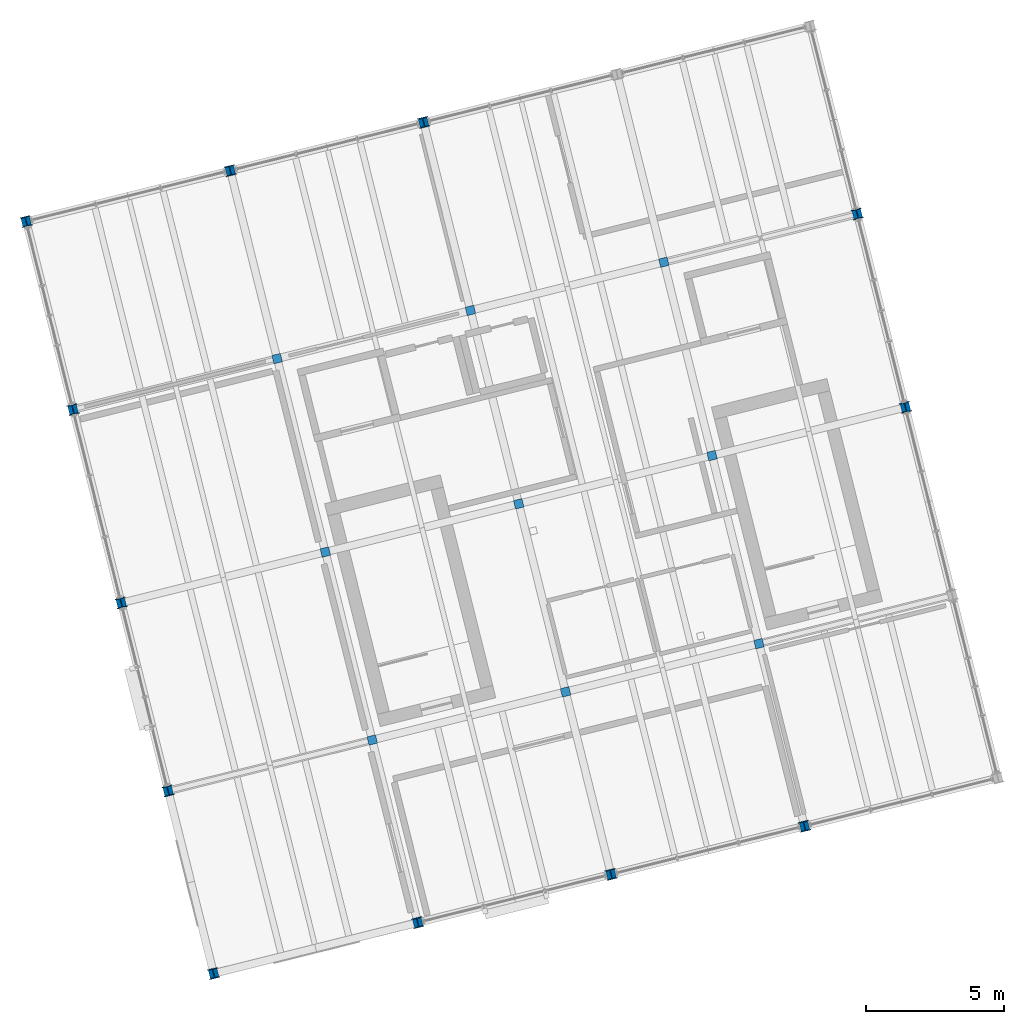
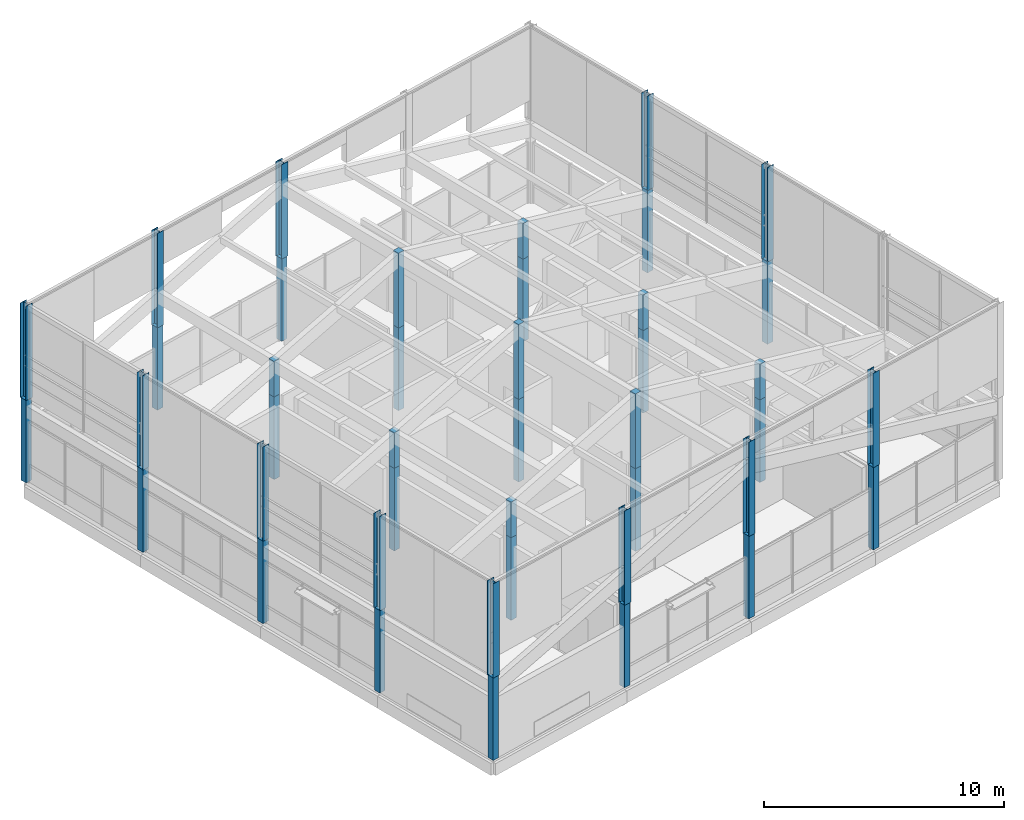
# One storey, part 1 of 31: 42 columns.
"""IFC4 building model written with IfcOpenShell, lengths in metres."""

import ifcopenshell
import ifcopenshell.guid

model = None  # the IFC model being written
_history = None  # IfcOwnerHistory: only IFC2X3 demands one
_inside = {}  # id of a spatial element -> (the spatial element, [elements in it])
_under = {}  # id of a project, library or spatial element -> (it, [spatial elements below it])
_declared = {}  # id of a project -> (the project, [libraries it declares])
_typed = {}  # id of a type object -> (the type object, [elements of that type])
_made_of = {}  # id of a material, layer set ... -> (it, [elements and type objects made of it])


def new_model(schema):
    """Start an empty IFC model of exactly this schema.

    Asked for "IFC4X3", IfcOpenShell would pick the latest addendum, in which some entities
    have other attributes; the version numbers below select the first issue.
    IFC2X3 requires an IfcOwnerHistory on every rooted entity: one is made here for all.
    """
    global model, _history
    if schema == "IFC4X3":
        model = ifcopenshell.file(schema_version=(4, 3, 0, 0))
    else:
        model = ifcopenshell.file(schema=schema)
    _inside.clear()
    _under.clear()
    _declared.clear()
    _typed.clear()
    _made_of.clear()
    _history = None
    if model.schema == "IFC2X3":
        org = make("IfcOrganization", Name="unknown")
        user = make(
            "IfcPersonAndOrganization",
            ThePerson=make("IfcPerson", FamilyName="unknown"),
            TheOrganization=org,
        )
        app = make(
            "IfcApplication",
            ApplicationDeveloper=org,
            Version="unknown",
            ApplicationFullName="unknown",
            ApplicationIdentifier="unknown",
        )
        _history = make(
            "IfcOwnerHistory",
            OwningUser=user,
            OwningApplication=app,
            ChangeAction="ADDED",
            CreationDate=0,
        )
    return model


def make(cls, **values):
    """One entity of the class cls with the attributes given. An attribute that is None is left unset."""
    return model.create_entity(
        cls, **{name: value for name, value in values.items() if value is not None}
    )


def rooted(cls, **values):
    """An entity with a GlobalId (a new one), such as an element, a storey or a relation."""
    return make(cls, GlobalId=ifcopenshell.guid.new(), OwnerHistory=_history, **values)


def si_unit(unit_type, name, prefix=None):
    """IfcSIUnit, for example si_unit("LENGTHUNIT", "METRE", prefix="MILLI")."""
    return make("IfcSIUnit", UnitType=unit_type, Prefix=prefix, Name=name)


def assignment(units):
    """IfcUnitAssignment: the units of a project."""
    return None if units is None else make("IfcUnitAssignment", Units=units)


def point(xyz):
    """IfcCartesianPoint."""
    return None if xyz is None else make("IfcCartesianPoint", Coordinates=xyz)


def direction(xyz):
    """IfcDirection."""
    return None if xyz is None else make("IfcDirection", DirectionRatios=xyz)


def frame(location, z_axis=None, x_axis=None):
    """IfcAxis2Placement3D, a coordinate frame: its origin and axes. An axis left out is left unset."""
    return make(
        "IfcAxis2Placement3D",
        Location=point(location),
        Axis=direction(z_axis),
        RefDirection=direction(x_axis),
    )


def frame_2d(location, x_axis=None):
    """IfcAxis2Placement2D, a coordinate frame in the plane: its origin and x axis."""
    return make(
        "IfcAxis2Placement2D", Location=point(location), RefDirection=direction(x_axis)
    )


def origin():
    """The frame at (0, 0, 0) with its axes left unset."""
    return frame((0.0, 0.0, 0.0))


def origin_2d():
    """The frame at (0, 0) in the plane with its x axis left unset."""
    return frame_2d((0.0, 0.0))


def place(relative_to, where):
    """IfcLocalPlacement: puts the frame where relative to a parent placement (None: the world)."""
    return make(
        "IfcLocalPlacement", PlacementRelTo=relative_to, RelativePlacement=where
    )


def context(
    kind, dimensions, precision=None, world=None, true_north=None, identifier=None
):
    """IfcGeometricRepresentationContext, for example the 3D "Model" context."""
    return make(
        "IfcGeometricRepresentationContext",
        ContextIdentifier=identifier,
        ContextType=kind,
        CoordinateSpaceDimension=dimensions,
        Precision=precision,
        WorldCoordinateSystem=world,
        TrueNorth=true_north,
    )


def subcontext(parent, identifier, kind, view, scale=None):
    """IfcGeometricRepresentationSubContext, for example "Body" below "Model"."""
    return make(
        "IfcGeometricRepresentationSubContext",
        ContextIdentifier=identifier,
        ContextType=kind,
        ParentContext=parent,
        TargetScale=scale,
        TargetView=view,
    )


def project(units=None, contexts=None):
    """IfcProject with its units and contexts."""
    return rooted(
        "IfcProject",
        Name="project",
        RepresentationContexts=contexts,
        UnitsInContext=assignment(units),
    )


def spatial(cls, under=None, at=None, **own):
    """A site, building, storey or space (cls), placed at a placement, below another one or the project."""
    s = rooted(cls, ObjectPlacement=at, **own)
    if under is not None:
        _under.setdefault(under.id(), (under, []))[1].append(s)
    return s


def profile(cls, at=None, kind="AREA", **sizes):
    """A parametric profile (cls). Its sizes go by their IFC names, for example OverallWidth=200.0."""
    return make(cls, ProfileType=kind, Position=at, **sizes)


def rectangle(**sizes):
    """IfcRectangleProfileDef."""
    return profile("IfcRectangleProfileDef", **sizes)


def i_section(**sizes):
    """IfcIShapeProfileDef."""
    return profile("IfcIShapeProfileDef", **sizes)


def extrude(swept, where, along, depth):
    """IfcExtrudedAreaSolid: the profile swept, set in the frame where, extruded along a direction by depth."""
    return make(
        "IfcExtrudedAreaSolid",
        SweptArea=swept,
        Position=where,
        ExtrudedDirection=direction(along),
        Depth=depth,
    )


def shape(context_of_items, identifier, shape_type, items):
    """IfcShapeRepresentation: the items that make up one representation, for example the "Body"."""
    return make(
        "IfcShapeRepresentation",
        ContextOfItems=context_of_items,
        RepresentationIdentifier=identifier,
        RepresentationType=shape_type,
        Items=items,
    )


def material(Name=None, Category=None):
    """IfcMaterial."""
    return make("IfcMaterial", Name=Name, Category=Category)


def material_profile(
    of_material, cross_section, Name=None, Category=None, Priority=None
):
    """IfcMaterialProfile: a cross section and its material."""
    return make(
        "IfcMaterialProfile",
        Name=Name,
        Material=of_material,
        Profile=cross_section,
        Priority=Priority,
        Category=Category,
    )


def profile_set(profiles, Name=None, composite=None):
    """IfcMaterialProfileSet."""
    return make(
        "IfcMaterialProfileSet",
        Name=Name,
        MaterialProfiles=profiles,
        CompositeProfile=composite,
    )


def made_of(thing, what):
    """Note that an element or type object is made of a material, layer set ...; save() writes the relation."""
    if what is not None:
        _made_of.setdefault(what.id(), (what, []))[1].append(thing)
    return thing


def type_object(cls, material=None, **own):
    """A type object (cls), such as IfcWallType, which elements share."""
    return made_of(rooted(cls, **own), material)


def element(
    cls,
    number,
    at=None,
    inside=None,
    cuts=None,
    type_object=None,
    material=None,
    context=None,
    identifier="Body",
    shape_type=None,
    held_by="IfcProductDefinitionShape",
    body=None,
    shapes=None,
    **own,
):
    """One element of the class cls, such as IfcWall. Its Tag is "e" and its number.

    at: its placement. inside: the storey or other place that contains it. cuts: it is an
    opening in that element (IfcRelVoidsElement). A single representation is given by context,
    identifier, shape_type and body (its items); several are given by shapes. held_by: the class
    of the entity that holds the representations. save() writes the other relations.
    """
    e = rooted(cls, Tag="e%d" % number, ObjectPlacement=at, **own)
    if body is not None:
        shapes = [shape(context, identifier, shape_type, body)]
    if shapes is not None:
        e.Representation = make(held_by, Representations=shapes)
    if inside is not None:
        _inside.setdefault(inside.id(), (inside, []))[1].append(e)
    if cuts is not None:
        rooted(
            "IfcRelVoidsElement", RelatingBuildingElement=cuts, RelatedOpeningElement=e
        )
    if type_object is not None:
        _typed.setdefault(type_object.id(), (type_object, []))[1].append(e)
    return made_of(e, material)


def aggregate(whole, parts):
    """IfcRelAggregates: a whole, such as a stair, and the parts it consists of."""
    return rooted("IfcRelAggregates", RelatingObject=whole, RelatedObjects=parts)


def save(model, path):
    """Write the relations noted so far, then the file.

    IfcRelAggregates (storeys below a building ...), IfcRelContainedInSpatialStructure (elements
    in a storey), IfcRelDefinesByType, IfcRelAssociatesMaterial and IfcRelDeclares: one each for
    every whole, place, type object, material and project.
    """
    for whole, parts in _under.values():
        aggregate(whole, parts)
    for where, things in _inside.values():
        rooted(
            "IfcRelContainedInSpatialStructure",
            RelatedElements=things,
            RelatingStructure=where,
        )
    for kind, things in _typed.values():
        rooted("IfcRelDefinesByType", RelatedObjects=things, RelatingType=kind)
    for what, things in _made_of.values():
        rooted("IfcRelAssociatesMaterial", RelatedObjects=things, RelatingMaterial=what)
    for by, libraries in _declared.values():
        rooted("IfcRelDeclares", RelatingContext=by, RelatedDefinitions=libraries)
    model.write(path)


model = new_model("IFC4")

# Units and contexts
model_context = context("Model", 3, precision=1e-05, world=origin(), true_north=direction((0.0, 1.0)))
body_context = subcontext(model_context, "Body", "Model", "MODEL_VIEW")
ifc_project = project(units=[si_unit("LENGTHUNIT", "METRE"), si_unit("AREAUNIT", "SQUARE_METRE"), si_unit("VOLUMEUNIT", "CUBIC_METRE"), si_unit("PLANEANGLEUNIT", "RADIAN"), si_unit("MASSUNIT", "GRAM", prefix="KILO")], contexts=[model_context])

# Site, building, storey
site_placement = place(None, origin())
site = spatial("IfcSite", under=ifc_project, at=site_placement, CompositionType="ELEMENT")
building_placement = place(site_placement, origin())
building = spatial("IfcBuilding", under=site, at=building_placement, Name="Meriwether Solvik Hall", CompositionType="ELEMENT")
storey_placement = place(building_placement, frame((0.0, 0.0, 61.199951171875)))
storey = spatial("IfcBuildingStorey", under=building, at=storey_placement, Name="L15", CompositionType="ELEMENT", Elevation=61.199951171875)

# Columns
ifc_material_1 = material(Name="Glulam Douglas-Fir L2 GL28c", Category="wood")
ifc_material_profile_1 = material_profile(ifc_material_1, rectangle(XDim=0.31494140625, YDim=0.31494140625, at=origin_2d()), Name="GLC-315X315")
ifc_profile_set_1 = profile_set([ifc_material_profile_1], Name="Glulam Douglas-Fir L2 GL28c")
column_type_1 = type_object("IfcColumnType", Name="COL-GL-315X315", PredefinedType="COLUMN", material=ifc_profile_set_1)
for number, where, z_axis, x_axis, name in (
    (1, (68.60009765625, 41.199951171875, 0.0), (0.0, 0.0, 1.0), (0.970295726276, 0.2419218956, 0.0), "Tower Column T1/TA (L15)"),
    (2, (66.954833984375, 47.798095703125, 0.0), (0.0, 0.0, 1.0), (0.970295726276, 0.2419218956, 0.0), "Tower Column T1/TB (L15)"),
    (3, (65.261474609375, 54.590087890625, 0.0), (0.0, 0.0, 1.0), (0.970295726276, 0.2419218956, 0.0), "Tower Column T1/TC (L15)"),
    (4, (63.51953125, 61.576171875, 0.0), (0.0, 0.0, 1.0), (0.970295726276, 0.2419218956, 0.0), "Tower Column T1/TD (L15)"),
    (5, (61.826171875, 68.3681640625, 0.0), (0.0, 0.0, 1.0), (0.970295726276, 0.2419218956, 0.0), "Tower Column T1/TE (L15)"),
    (6, (75.974365234375, 43.03857421875, 0.0), (0.0, 0.0, 1.0), (0.970295726276, 0.2419218956, 0.0), "Tower Column T2/TA (L15)"),
    (7, (74.3291015625, 49.63671875, 0.0), (0.0, 0.0, 1.0), (0.970295726276, 0.2419218956, 0.0), "Tower Column T2/TB (L15)"),
    (8, (72.6357421875, 56.4287109375, 0.0), (0.0, 0.0, 1.0), (0.970295726276, 0.2419218956, 0.0), "Tower Column T2/TC (L15)"),
    (9, (70.893798828125, 63.414794921875, 0.0), (0.0, 0.0, 1.0), (0.970295726276, 0.2419218956, 0.0), "Tower Column T2/TD (L15)"),
    (10, (69.200439453125, 70.206787109375, 0.0), (0.0, 0.0, 1.0), (0.970295726276, 0.2419218956, 0.0), "Tower Column T2/TE (L15)"),
    (11, (82.96044921875, 44.780517578125, 0.0), (0.0, 0.0, 1.0), (0.970295726276, 0.2419218956, 0.0), "Tower Column T3/TA (L15)"),
    (12, (81.3154296875, 51.37841796875, 0.0), (0.0, 0.0, 1.0), (0.970295726276, 0.2419218956, 0.0), "Tower Column T3/TB (L15)"),
    (13, (79.621826171875, 58.17041015625, 0.0), (0.0, 0.0, 1.0), (0.970295726276, 0.2419218956, 0.0), "Tower Column T3/TC (L15)"),
    (14, (77.880126953125, 65.15673828125, 0.0), (0.0, 0.0, 1.0), (0.970295726276, 0.2419218956, 0.0), "Tower Column T3/TD (L15)"),
    (15, (76.1865234375, 71.94873046875, 0.0), (0.0, 0.0, 1.0), (0.970295726276, 0.2419218956, 0.0), "Tower Column T3/TE (L15)"),
    (16, (89.946533203125, 46.522216796875, 0.0), (0.0, 0.0, 1.0), (0.970295726276, 0.2419218956, 0.0), "Tower Column T4/TA (L15)"),
    (17, (88.301513671875, 53.120361328125, 0.0), (0.0, 0.0, 1.0), (0.970295726276, 0.2419218956, 0.0), "Tower Column T4/TB (L15)"),
    (18, (86.60791015625, 59.912353515625, 0.0), (0.0, 0.0, 1.0), (0.970295726276, 0.2419218956, 0.0), "Tower Column T4/TC (L15)"),
    (19, (84.8662109375, 66.8984375, 0.0), (0.0, 0.0, 1.0), (0.970295726276, 0.2419218956, 0.0), "Tower Column T4/TD (L15)"),
    (20, (93.593994140625, 61.654296875, 0.0), (0.0, 0.0, 1.0), (0.970295726276, 0.2419218956, 0.0), "Tower Column T5/TC (L15)"),
    (21, (91.852294921875, 68.640380859375, 0.0), (0.0, 0.0, 1.0), (0.970295726276, 0.2419218956, 0.0), "Tower Column T5/TD (L15)"),
):
    element("IfcColumn", number, at=place(storey_placement, frame(where, z_axis=z_axis, x_axis=x_axis)), inside=storey, type_object=column_type_1, Name=name, PredefinedType="COLUMN", context=body_context, shape_type="SweptSolid", body=[
        extrude(rectangle(XDim=0.31494140625, YDim=0.31494140625, at=origin_2d()), origin(), (0.0, 0.0, 1.0), 4.199951171875),
    ])
for number, where, z_axis, x_axis, name in (
    (22, (74.3291015625, 49.63671875, 4.199951171875), (0.0, 0.0, 1.0), (0.970295726276, 0.2419218956, 0.0), "Tower Roof Ridge Post T2/TB"),
    (23, (72.6357421875, 56.4287109375, 4.199951171875), (0.0, 0.0, 1.0), (0.970295726276, 0.2419218956, 0.0), "Tower Roof Ridge Post T2/TC"),
    (24, (70.893798828125, 63.414794921875, 4.199951171875), (0.0, 0.0, 1.0), (0.970295726276, 0.2419218956, 0.0), "Tower Roof Ridge Post T2/TD"),
):
    element("IfcColumn", number, at=place(storey_placement, frame(where, z_axis=z_axis, x_axis=x_axis)), inside=storey, type_object=column_type_1, Name=name, PredefinedType="COLUMN", context=body_context, shape_type="SweptSolid", body=[
        extrude(rectangle(XDim=0.31494140625, YDim=0.31494140625, at=origin_2d()), origin(), (0.0, 0.0, 1.0), 1.8095703125),
    ])
for number, where, z_axis, x_axis, name in (
    (25, (81.3154296875, 51.37841796875, 4.199951171875), (0.0, 0.0, 1.0), (0.970295726276, 0.2419218956, 0.0), "Tower Roof Ridge Post T3/TB"),
    (26, (79.621826171875, 58.17041015625, 4.199951171875), (0.0, 0.0, 1.0), (0.970295726276, 0.2419218956, 0.0), "Tower Roof Ridge Post T3/TC"),
    (27, (77.880126953125, 65.15673828125, 4.199951171875), (0.0, 0.0, 1.0), (0.970295726276, 0.2419218956, 0.0), "Tower Roof Ridge Post T3/TD"),
):
    element("IfcColumn", number, at=place(storey_placement, frame(where, z_axis=z_axis, x_axis=x_axis)), inside=storey, type_object=column_type_1, Name=name, PredefinedType="COLUMN", context=body_context, shape_type="SweptSolid", body=[
        extrude(rectangle(XDim=0.31494140625, YDim=0.31494140625, at=origin_2d()), origin(), (0.0, 0.0, 1.0), 3.80419921875),
    ])
for number, where, z_axis, x_axis, name in (
    (28, (88.301513671875, 53.120361328125, 4.199951171875), (0.0, 0.0, 1.0), (0.970295726276, 0.2419218956, 0.0), "Tower Roof Ridge Post T4/TB"),
    (29, (86.60791015625, 59.912353515625, 4.199951171875), (0.0, 0.0, 1.0), (0.970295726276, 0.2419218956, 0.0), "Tower Roof Ridge Post T4/TC"),
    (30, (84.8662109375, 66.8984375, 4.199951171875), (0.0, 0.0, 1.0), (0.970295726276, 0.2419218956, 0.0), "Tower Roof Ridge Post T4/TD"),
):
    element("IfcColumn", number, at=place(storey_placement, frame(where, z_axis=z_axis, x_axis=x_axis)), inside=storey, type_object=column_type_1, Name=name, PredefinedType="COLUMN", context=body_context, shape_type="SweptSolid", body=[
        extrude(rectangle(XDim=0.31494140625, YDim=0.31494140625, at=origin_2d()), origin(), (0.0, 0.0, 1.0), 1.80419921875),
    ])
ifc_material_2 = material(Name="Steel A992 Grade 50", Category="steel")
ifc_material_profile_2 = material_profile(ifc_material_2, i_section(OverallWidth=0.368896484375, OverallDepth=0.35595703125, WebThickness=0.01123046875, FlangeThickness=0.01806640625, at=origin_2d()), Name="W14X90")
ifc_profile_set_2 = profile_set([ifc_material_profile_2], Name="Steel A992 Grade 50")
column_type_2 = type_object("IfcColumnType", Name="COL-STL-W14X90", PredefinedType="COLUMN", material=ifc_profile_set_2)
for number, where, z_axis, x_axis, name in (
    (31, (68.60009765625, 41.199951171875, 4.199951171875), (0.0, 0.0, 1.0), (0.970295726276, 0.2419218956, 0.0), "Crown Screen Post T1/TA"),
    (32, (75.974365234375, 43.03857421875, 4.199951171875), (0.0, 0.0, 1.0), (0.970295726276, 0.2419218956, 0.0), "Crown Screen Post T2/TA"),
    (33, (82.96044921875, 44.780517578125, 4.199951171875), (0.0, 0.0, 1.0), (0.970295726276, 0.2419218956, 0.0), "Crown Screen Post T3/TA"),
    (34, (89.946533203125, 46.522216796875, 4.199951171875), (0.0, 0.0, 1.0), (0.970295726276, 0.2419218956, 0.0), "Crown Screen Post T4/TA"),
    (35, (93.593994140625, 61.654296875, 4.199951171875), (0.0, 0.0, 1.0), (0.970295726276, 0.2419218956, 0.0), "Crown Screen Post T5/TC"),
    (36, (91.852294921875, 68.640380859375, 4.199951171875), (0.0, 0.0, 1.0), (0.970295726276, 0.2419218956, 0.0), "Crown Screen Post T5/TD"),
    (37, (76.1865234375, 71.94873046875, 4.199951171875), (0.0, 0.0, 1.0), (0.970295726276, 0.2419218956, 0.0), "Crown Screen Post T3/TE"),
    (38, (69.200439453125, 70.206787109375, 4.199951171875), (0.0, 0.0, 1.0), (0.970295726276, 0.2419218956, 0.0), "Crown Screen Post T2/TE"),
    (39, (61.826171875, 68.3681640625, 4.199951171875), (0.0, 0.0, 1.0), (0.970295726276, 0.2419218956, 0.0), "Crown Screen Post T1/TE"),
    (40, (63.51953125, 61.576171875, 4.199951171875), (0.0, 0.0, 1.0), (0.970295726276, 0.2419218956, 0.0), "Crown Screen Post T1/TD"),
    (41, (65.261474609375, 54.590087890625, 4.199951171875), (0.0, 0.0, 1.0), (0.970295726276, 0.2419218956, 0.0), "Crown Screen Post T1/TC"),
    (42, (66.954833984375, 47.798095703125, 4.199951171875), (0.0, 0.0, 1.0), (0.970295726276, 0.2419218956, 0.0), "Crown Screen Post T1/TB"),
):
    element("IfcColumn", number, at=place(storey_placement, frame(where, z_axis=z_axis, x_axis=x_axis)), inside=storey, type_object=column_type_2, Name=name, PredefinedType="COLUMN", context=body_context, shape_type="SweptSolid", body=[
        extrude(i_section(OverallWidth=0.368896484375, OverallDepth=0.35595703125, WebThickness=0.01123046875, FlangeThickness=0.01806640625, at=origin_2d()), origin(), (0.0, 0.0, 1.0), 4.800048828125),
    ])

save(model, "model.ifc")
